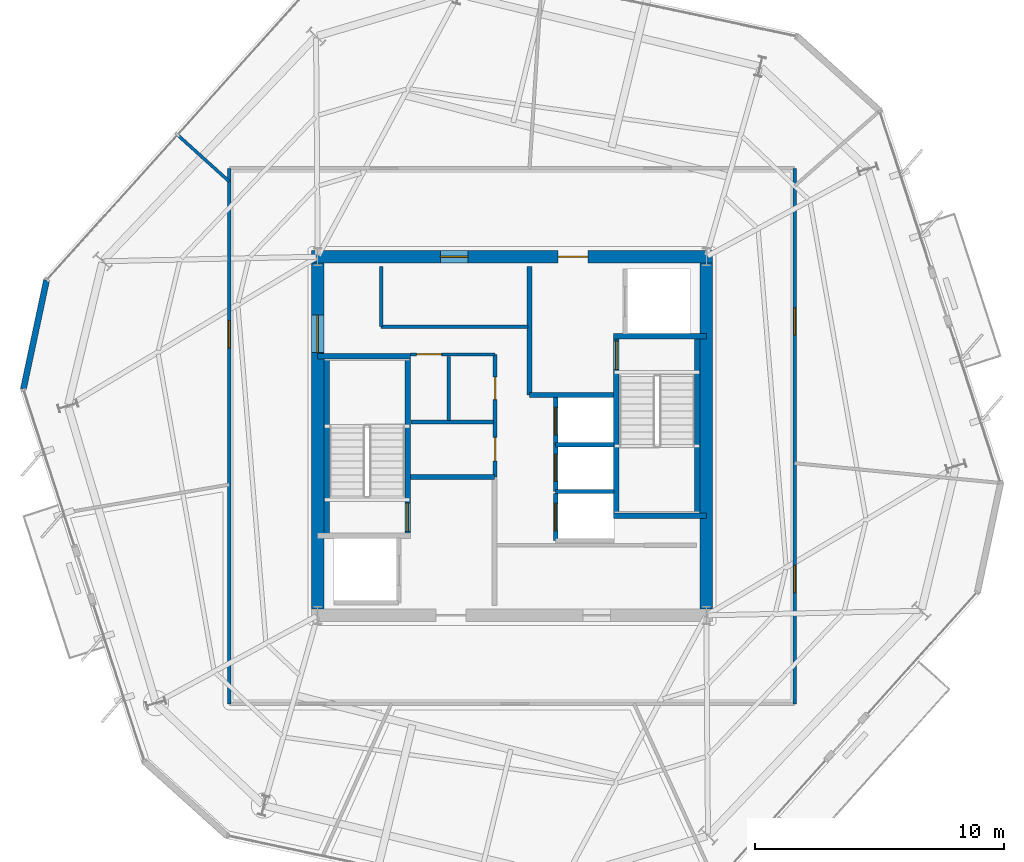
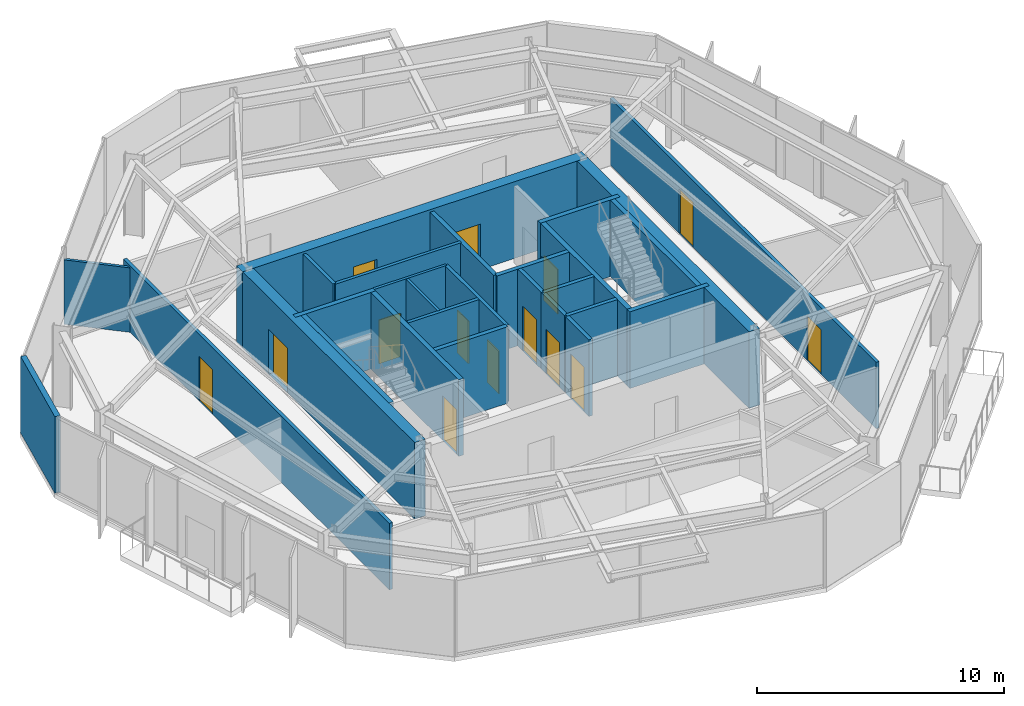
# One storey, part 7 of 11: 28 walls, 14 doors, 14 openings.
"""IFC4 building model written with IfcOpenShell, lengths in metres."""

from ifc_helpers import new_model, si_unit, direction, frame, frame_2d, origin, place, context, subcontext, project, spatial, rectangle, extrude, material, layer, layer_set, type_object, element, fill, save


model = new_model("IFC4")

# Units and contexts
model_context = context("Model", 3, precision=1e-05, world=origin(), true_north=direction((0.0, 1.0)))
body_context = subcontext(model_context, "Body", "Model", "MODEL_VIEW")
ifc_project = project(units=[si_unit("LENGTHUNIT", "METRE"), si_unit("AREAUNIT", "SQUARE_METRE"), si_unit("VOLUMEUNIT", "CUBIC_METRE"), si_unit("PLANEANGLEUNIT", "RADIAN"), si_unit("MASSUNIT", "GRAM", prefix="KILO")], contexts=[model_context])

# Site, building, storey
site_placement = place(None, origin())
site = spatial("IfcSite", under=ifc_project, at=site_placement, CompositionType="ELEMENT")
building_placement = place(site_placement, origin())
building = spatial("IfcBuilding", under=site, at=building_placement, Name="Kranzbogen Civic Tower", CompositionType="ELEMENT")
storey_placement = place(building_placement, frame((0.0, 0.0, 216.800048828125)))
storey = spatial("IfcBuildingStorey", under=building, at=storey_placement, Name="L52", CompositionType="ELEMENT", Elevation=216.800048828125)

# Walls
ifc_material_1 = material(Name="Double-Stud Acoustic Gypsum Partition")
ifc_layer_1 = layer(ifc_material_1, 0.14990234375, Name="Double-Stud Acoustic Gypsum Partition")
ifc_layer_set_1 = layer_set([ifc_layer_1], Name="Double-Stud Acoustic Gypsum Partition")
wall_type_1 = type_object("IfcWallType", Name="Acoustic Corridor and Clinical Partition 150 mm", PredefinedType="PARTITIONING", material=ifc_layer_set_1)
wall_1_placement = place(storey_placement, frame((19.75, 29.389892578125, 0.0), z_axis=(0.0, 0.0, 1.0), x_axis=(1.0, 0.0, 0.0)))
element("IfcWall", 1, at=wall_1_placement, inside=storey, type_object=wall_type_1, Name="L52 digital comms South wall", PredefinedType="PARTITIONING", context=body_context, shape_type="SweptSolid", body=[
    extrude(rectangle(XDim=5.89990234375, YDim=0.14990234375, at=frame_2d((2.949951171875, 0.0))), origin(), (0.0, 0.0, 1.0), 3.780029296875),
])
wall_2_placement = place(storey_placement, frame((19.75, 29.389892578125, 0.0), z_axis=(0.0, 0.0, 1.0), x_axis=(0.0, 1.0, 0.0)))
element("IfcWall", 2, at=wall_2_placement, inside=storey, type_object=wall_type_1, Name="L52 digital comms West wall", PredefinedType="PARTITIONING", context=body_context, shape_type="SweptSolid", body=[
    extrude(rectangle(XDim=2.41015625, YDim=0.14990234375, at=frame_2d((1.205078125, 0.0))), origin(), (0.0, 0.0, 1.0), 3.780029296875),
])

# Wall, openings, doors
wall_3_placement = place(storey_placement, frame((36.35009765625, 35.75, 0.0), z_axis=(0.0, 0.0, 1.0), x_axis=(0.0, -1.0, 0.0)))
wall_3 = element("IfcWall", 3, at=wall_3_placement, inside=storey, type_object=wall_type_1, Name="L52 corridor partition 02", PredefinedType="PARTITIONING", context=body_context, shape_type="SweptSolid", body=[
    extrude(rectangle(XDim=21.5, YDim=0.14990234375, at=frame_2d((10.75, 0.0))), origin(), (0.0, 0.0, 1.0), 3.280029296875),
])
opening_1_placement = place(wall_3_placement, frame((15.93994140625, 0.0, 0.0)))
opening_1 = element("IfcOpeningElement", 4, at=opening_1_placement, cuts=wall_3, Name="Opening D-COR60", PredefinedType="OPENING", context=body_context, shape_type="SweptSolid", body=[
    extrude(rectangle(XDim=1.10009765625, YDim=2.199951171875, at=frame_2d((0.550048828125, 1.10009765625))), frame((0.0, 0.0849609375, 0.0), z_axis=(0.0, -1.0, 0.0), x_axis=(1.0, 0.0, 0.0)), (0.0, 0.0, 1.0), 0.169921875),
])
opening_2_placement = place(wall_3_placement, frame((5.60009765625, 0.0, 0.0)))
opening_2 = element("IfcOpeningElement", 5, at=opening_2_placement, cuts=wall_3, Name="Opening D-COR60", PredefinedType="OPENING", context=body_context, shape_type="SweptSolid", body=[
    extrude(rectangle(XDim=1.10009765625, YDim=2.199951171875, at=frame_2d((0.550048828125, 1.10009765625))), frame((0.0, 0.0849609375, 0.0), z_axis=(0.0, -1.0, 0.0), x_axis=(1.0, 0.0, 0.0)), (0.0, 0.0, 1.0), 0.169921875),
])
ifc_material_2 = material(Name="Oak Timber and Fire Core", Category="wood")
door_type_1 = type_object("IfcDoorType", Name="Corridor Acoustic Fire Door 1100x2200", OperationType="NOTDEFINED", PredefinedType="DOOR", material=ifc_material_2)
door_1_placement = place(opening_1_placement, origin())
door_1 = element("IfcDoor", 6, at=door_1_placement, inside=storey, type_object=door_type_1, Name="L52 Protocol Dining Room door", OperationType="SINGLE_SWING_RIGHT", OverallHeight=2.199951171875, OverallWidth=1.10009765625, PredefinedType="DOOR", context=body_context, shape_type="SweptSolid", body=[
    extrude(rectangle(XDim=1.10009765625, YDim=2.199951171875, at=frame_2d((0.550048828125, 1.10009765625))), frame((0.0, 0.02490234375, 0.0), z_axis=(0.0, -1.0, 0.0), x_axis=(1.0, 0.0, 0.0)), (0.0, 0.0, 1.0), 0.050048828125),
])
fill(opening_1, door_1)
door_2_placement = place(opening_2_placement, origin())
door_2 = element("IfcDoor", 7, at=door_2_placement, inside=storey, type_object=door_type_1, Name="L52 Staff Tea Pantry door", OperationType="SINGLE_SWING_LEFT", OverallHeight=2.199951171875, OverallWidth=1.10009765625, PredefinedType="DOOR", context=body_context, shape_type="SweptSolid", body=[
    extrude(rectangle(XDim=1.10009765625, YDim=2.199951171875, at=frame_2d((0.550048828125, 1.10009765625))), frame((0.0, 0.02490234375, 0.0), z_axis=(0.0, -1.0, 0.0), x_axis=(1.0, 0.0, 0.0)), (0.0, 0.0, 1.0), 0.050048828125),
])
fill(opening_2, door_2)

# Wall, opening, door
wall_4_placement = place(storey_placement, frame((13.64990234375, 14.25, 0.0), z_axis=(0.0, 0.0, 1.0), x_axis=(0.0, 1.0, 0.0)))
wall_4 = element("IfcWall", 8, at=wall_4_placement, inside=storey, type_object=wall_type_1, Name="L52 corridor partition 04", PredefinedType="PARTITIONING", context=body_context, shape_type="SweptSolid", body=[
    extrude(rectangle(XDim=21.5, YDim=0.14990234375, at=frame_2d((10.75, 0.0))), origin(), (0.0, 0.0, 1.0), 3.280029296875),
])
opening_3_placement = place(wall_4_placement, frame((14.281982421875, 0.0, 0.0)))
opening_3 = element("IfcOpeningElement", 9, at=opening_3_placement, cuts=wall_4, Name="Opening D-COR60", PredefinedType="OPENING", context=body_context, shape_type="SweptSolid", body=[
    extrude(rectangle(XDim=1.10009765625, YDim=2.199951171875, at=frame_2d((0.550048828125, 1.10009765625))), frame((0.0, 0.0849609375, 0.0), z_axis=(0.0, -1.0, 0.0), x_axis=(1.0, 0.0, 0.0)), (0.0, 0.0, 1.0), 0.169921875),
])
door_3_placement = place(opening_3_placement, origin())
door_3 = element("IfcDoor", 10, at=door_3_placement, inside=storey, type_object=door_type_1, Name="L52 Executive Briefing Conference Room door", OperationType="SINGLE_SWING_RIGHT", OverallHeight=2.199951171875, OverallWidth=1.10009765625, PredefinedType="DOOR", context=body_context, shape_type="SweptSolid", body=[
    extrude(rectangle(XDim=1.10009765625, YDim=2.199951171875, at=frame_2d((0.550048828125, 1.10009765625))), frame((0.0, 0.02490234375, 0.0), z_axis=(0.0, -1.0, 0.0), x_axis=(1.0, 0.0, 0.0)), (0.0, 0.0, 1.0), 0.050048828125),
])
fill(opening_3, door_3)

ifc_material_3 = material(Name="Insulated Metal-Stud Gypsum Partition")
ifc_layer_2 = layer(ifc_material_3, 0.125, Name="Insulated Metal-Stud Gypsum Partition")
ifc_layer_set_2 = layer_set([ifc_layer_2], Name="Insulated Metal-Stud Gypsum Partition")
wall_type_2 = type_object("IfcWallType", Name="Acoustic Inter-Room Partition 125 mm", PredefinedType="PARTITIONING", material=ifc_layer_set_2)
wall_5_placement = place(storey_placement, frame((20.919921875, 28.280029296875, 0.0), z_axis=(0.0, 0.0, 1.0), x_axis=(1.0, 0.0, 0.0)))
wall_5 = element("IfcWall", 11, at=wall_5_placement, inside=storey, type_object=wall_type_2, Name="L52 core auxiliary North wall", PredefinedType="PARTITIONING", context=body_context, shape_type="SweptSolid", body=[
    extrude(rectangle(XDim=3.405029296875, YDim=0.125, at=frame_2d((1.70263671875, 0.0))), origin(), (0.0, 0.0, 1.0), 3.780029296875),
])
opening_4_placement = place(wall_5_placement, frame((0.2548828125, 0.0, 0.0)))
opening_4 = element("IfcOpeningElement", 12, at=opening_4_placement, cuts=wall_5, Name="Opening D-RSR10", PredefinedType="OPENING", context=body_context, shape_type="SweptSolid", body=[
    extrude(rectangle(XDim=1.0, YDim=2.14990234375, at=frame_2d((0.5, 1.074951171875))), frame((0.0, 0.072509765625, 0.0), z_axis=(0.0, -1.0, 0.0), x_axis=(1.0, 0.0, 0.0)), (0.0, 0.0, 1.0), 0.14501953125),
])
door_type_2 = type_object("IfcDoorType", Name="Core Archive and Riser Fire Door 1000x2150", OperationType="NOTDEFINED", PredefinedType="DOOR", material=ifc_material_2)
door_4_placement = place(opening_4_placement, origin())
door_4 = element("IfcDoor", 13, at=door_4_placement, inside=storey, type_object=door_type_2, Name="L52 Telecom and Riser Room door", OperationType="SINGLE_SWING_RIGHT", OverallHeight=2.14990234375, OverallWidth=1.0, PredefinedType="DOOR", context=body_context, shape_type="SweptSolid", body=[
    extrude(rectangle(XDim=1.0, YDim=2.14990234375, at=frame_2d((0.5, 1.074951171875))), frame((0.0, 0.02490234375, 0.0), z_axis=(0.0, -1.0, 0.0), x_axis=(1.0, 0.0, 0.0)), (0.0, 0.0, 1.0), 0.050048828125),
])
fill(opening_4, door_4)

# Walls
wall_6_placement = place(storey_placement, frame((22.4599609375, 25.6201171875, 0.0), z_axis=(0.0, 0.0, 1.0), x_axis=(0.0, 1.0, 0.0)))
element("IfcWall", 14, at=wall_6_placement, inside=storey, type_object=wall_type_2, Name="L52 core auxiliary partition 2", PredefinedType="PARTITIONING", context=body_context, shape_type="SweptSolid", body=[
    extrude(rectangle(XDim=2.579833984375, YDim=0.125, at=frame_2d((1.2900390625, 0.0))), origin(), (0.0, 0.0, 1.0), 3.780029296875),
])
wall_7_placement = place(storey_placement, frame((13.64990234375, 35.218994140625, 0.0), z_axis=(0.0, 0.0, 1.0), x_axis=(-0.743119619427, 0.669158599453, 0.0)))
element("IfcWall", 15, at=wall_7_placement, inside=storey, type_object=wall_type_2, Name="L52 radial room partition 02", PredefinedType="PARTITIONING", context=body_context, shape_type="SweptSolid", body=[
    extrude(rectangle(XDim=2.78271484375, YDim=0.125, at=frame_2d((1.391357421875, 0.0))), origin(), (0.0, 0.0, 1.0), 3.179931640625),
])

# Wall, openings, doors
ifc_material_4 = material(Name="Concrete C45/55", Category="concrete")
ifc_layer_3 = layer(ifc_material_4, 0.5, Name="Concrete C45/55")
ifc_layer_set_3 = layer_set([ifc_layer_3], Name="Concrete C45/55")
wall_type_3 = type_object("IfcWallType", Name="Central Core Shear Wall 500 mm", PredefinedType="SHEAR", material=ifc_layer_set_3)
wall_8_placement = place(storey_placement, frame((33.050048828125, 32.199951171875, 0.0), z_axis=(0.0, 0.0, 1.0), x_axis=(-1.0, 0.0, 0.0)))
wall_8 = element("IfcWall", 16, at=wall_8_placement, inside=storey, type_object=wall_type_3, Name="L52 central core North shear wall", PredefinedType="SHEAR", context=body_context, shape_type="SweptSolid", body=[
    extrude(rectangle(XDim=16.10009765625, YDim=0.5, at=frame_2d((8.050048828125, 0.0))), origin(), (0.0, 0.0, 1.0), 3.780029296875),
])
opening_5_placement = place(wall_8_placement, frame((5.0, 0.0, 0.0)))
opening_5 = element("IfcOpeningElement", 17, at=opening_5_placement, cuts=wall_8, Name="Opening D-EX120", PredefinedType="OPENING", context=body_context, shape_type="SweptSolid", body=[
    extrude(rectangle(XDim=1.199951171875, YDim=2.25, at=frame_2d((0.60009765625, 1.125))), frame((0.0, 0.260009765625, 0.0), z_axis=(0.0, -1.0, 0.0), x_axis=(1.0, 0.0, 0.0)), (0.0, 0.0, 1.0), 0.52001953125),
])
opening_6_placement = place(wall_8_placement, frame((9.824951171875, 0.0, 0.0)))
opening_6 = element("IfcOpeningElement", 18, at=opening_6_placement, cuts=wall_8, Name="Opening D-COR60", PredefinedType="OPENING", context=body_context, shape_type="SweptSolid", body=[
    extrude(rectangle(XDim=1.10009765625, YDim=2.199951171875, at=frame_2d((0.550048828125, 1.10009765625))), frame((0.0, 0.260009765625, 0.0), z_axis=(0.0, -1.0, 0.0), x_axis=(1.0, 0.0, 0.0)), (0.0, 0.0, 1.0), 0.52001953125),
])
door_5_placement = place(opening_6_placement, origin())
door_5 = element("IfcDoor", 19, at=door_5_placement, inside=storey, type_object=door_type_1, Name="L52 DAT1 comms room door", OperationType="SINGLE_SWING_LEFT", OverallHeight=2.199951171875, OverallWidth=1.10009765625, PredefinedType="DOOR", context=body_context, shape_type="SweptSolid", body=[
    extrude(rectangle(XDim=1.10009765625, YDim=2.199951171875, at=frame_2d((0.550048828125, 1.10009765625))), frame((0.0, 0.02490234375, 0.0), z_axis=(0.0, -1.0, 0.0), x_axis=(1.0, 0.0, 0.0)), (0.0, 0.0, 1.0), 0.050048828125),
])
fill(opening_6, door_5)
ifc_material_5 = material(Name="Steel S355", Category="steel")
door_type_3 = type_object("IfcDoorType", Name="Exit Passageway Fire Door 1200x2250", OperationType="NOTDEFINED", PredefinedType="DOOR", material=ifc_material_5)
door_6_placement = place(opening_5_placement, origin())
door_6 = element("IfcDoor", 20, at=door_6_placement, inside=storey, type_object=door_type_3, Name="L52 East firefighting lobby corridor door", OperationType="SINGLE_SWING_RIGHT", OverallHeight=2.25, OverallWidth=1.199951171875, PredefinedType="DOOR", context=body_context, shape_type="SweptSolid", body=[
    extrude(rectangle(XDim=1.199951171875, YDim=2.25, at=frame_2d((0.60009765625, 1.125))), frame((0.0, 0.02490234375, 0.0), z_axis=(0.0, -1.0, 0.0), x_axis=(1.0, 0.0, 0.0)), (0.0, 0.0, 1.0), 0.050048828125),
])
fill(opening_5, door_6)

# Wall, opening, door
wall_9_placement = place(storey_placement, frame((17.199951171875, 31.949951171875, 0.0), z_axis=(0.0, 0.0, 1.0), x_axis=(0.0, -1.0, 0.0)))
wall_9 = element("IfcWall", 21, at=wall_9_placement, inside=storey, type_object=wall_type_3, Name="L52 central core West shear wall", PredefinedType="SHEAR", context=body_context, shape_type="SweptSolid", body=[
    extrude(rectangle(XDim=13.89990234375, YDim=0.5, at=frame_2d((6.949951171875, 0.0))), origin(), (0.0, 0.0, 1.0), 3.780029296875),
])
opening_7_placement = place(wall_9_placement, frame((2.10009765625, 0.0, 0.0)))
opening_7 = element("IfcOpeningElement", 22, at=opening_7_placement, cuts=wall_9, Name="Opening D-DBL15", PredefinedType="OPENING", context=body_context, shape_type="SweptSolid", body=[
    extrude(rectangle(XDim=1.5, YDim=2.199951171875, at=frame_2d((0.75, 1.10009765625))), frame((0.0, 0.260009765625, 0.0), z_axis=(0.0, -1.0, 0.0), x_axis=(1.0, 0.0, 0.0)), (0.0, 0.0, 1.0), 0.52001953125),
])
ifc_material_6 = material(Name="Anodised Bronze and Glass", Category="glass")
door_type_4 = type_object("IfcDoorType", Name="Civic Lobby Double Door 1500x2200", OperationType="DOUBLE_DOOR_SINGLE_SWING", PredefinedType="DOOR", material=ifc_material_6)
door_7_placement = place(opening_7_placement, origin())
door_7 = element("IfcDoor", 23, at=door_7_placement, inside=storey, type_object=door_type_4, Name="L52 Central Lift Lobby West concourse door", OperationType="DOUBLE_DOOR_SINGLE_SWING", OverallHeight=2.199951171875, OverallWidth=1.5, PredefinedType="DOOR", context=body_context, shape_type="SweptSolid", body=[
    extrude(rectangle(XDim=1.5, YDim=2.199951171875, at=frame_2d((0.75, 1.10009765625))), frame((0.0, 0.02490234375, 0.0), z_axis=(0.0, -1.0, 0.0), x_axis=(1.0, 0.0, 0.0)), (0.0, 0.0, 1.0), 0.050048828125),
])
fill(opening_7, door_7)

# Wall
wall_10_placement = place(storey_placement, frame((32.800048828125, 18.050048828125, 0.0), z_axis=(0.0, 0.0, 1.0), x_axis=(0.0, 1.0, 0.0)))
element("IfcWall", 24, at=wall_10_placement, inside=storey, type_object=wall_type_3, Name="L52 central core East shear wall", PredefinedType="SHEAR", context=body_context, shape_type="SweptSolid", body=[
    extrude(rectangle(XDim=13.89990234375, YDim=0.5, at=frame_2d((6.949951171875, 0.0))), origin(), (0.0, 0.0, 1.0), 3.780029296875),
])

# Wall, opening, door
ifc_layer_4 = layer(ifc_material_4, 0.219970703125, Name="Concrete C45/55")
ifc_layer_set_4 = layer_set([ifc_layer_4], Name="Concrete C45/55")
wall_type_4 = type_object("IfcWallType", Name="Core Internal Stair Structural Wall 220 mm", PredefinedType="SOLIDWALL", material=ifc_layer_set_4)
wall_11_placement = place(storey_placement, frame((20.81005859375, 20.989990234375, 0.0), z_axis=(0.0, 0.0, 1.0), x_axis=(0.0, 1.0, 0.0)))
wall_11 = element("IfcWall", 25, at=wall_11_placement, inside=storey, type_object=wall_type_4, Name="L52 ST-T1 East structural stair wall", PredefinedType="SOLIDWALL", context=body_context, shape_type="SweptSolid", body=[
    extrude(rectangle(XDim=7.219970703125, YDim=0.219970703125, at=frame_2d((3.60986328125, 0.0))), origin(), (0.0, 0.0, 1.0), 3.780029296875),
])
opening_8_placement = place(wall_11_placement, frame((0.179931640625, 0.0, 0.0)))
opening_8 = element("IfcOpeningElement", 26, at=opening_8_placement, cuts=wall_11, Name="Opening D-ST90", PredefinedType="OPENING", context=body_context, shape_type="SweptSolid", body=[
    extrude(rectangle(XDim=1.14990234375, YDim=2.199951171875, at=frame_2d((0.574951171875, 1.10009765625))), frame((0.0, 0.1201171875, 0.0), z_axis=(0.0, -1.0, 0.0), x_axis=(1.0, 0.0, 0.0)), (0.0, 0.0, 1.0), 0.239990234375),
])
door_type_5 = type_object("IfcDoorType", Name="Pressurized Stair and Lobby Fire Door 1150x2200", OperationType="NOTDEFINED", PredefinedType="DOOR", material=ifc_material_5)
door_8_placement = place(opening_8_placement, origin())
door_8 = element("IfcDoor", 27, at=door_8_placement, inside=storey, type_object=door_type_5, Name="L52 Stair ST-T1 fire door", OperationType="SINGLE_SWING_LEFT", OverallHeight=2.199951171875, OverallWidth=1.14990234375, PredefinedType="DOOR", context=body_context, shape_type="SweptSolid", body=[
    extrude(rectangle(XDim=1.14990234375, YDim=2.199951171875, at=frame_2d((0.574951171875, 1.10009765625))), frame((0.0, 0.02490234375, 0.0), z_axis=(0.0, -1.0, 0.0), x_axis=(1.0, 0.0, 0.0)), (0.0, 0.0, 1.0), 0.050048828125),
])
fill(opening_8, door_8)

# Walls
wall_12_placement = place(storey_placement, frame((17.199951171875, 28.2099609375, 0.0), z_axis=(0.0, 0.0, 1.0), x_axis=(1.0, 0.0, 0.0)))
element("IfcWall", 28, at=wall_12_placement, inside=storey, type_object=wall_type_4, Name="L52 ST-T1 North structural stair wall", PredefinedType="SOLIDWALL", context=body_context, shape_type="SweptSolid", body=[
    extrude(rectangle(XDim=3.719970703125, YDim=0.219970703125, at=frame_2d((1.85986328125, 0.0))), origin(), (0.0, 0.0, 1.0), 3.780029296875),
])
wall_13_placement = place(storey_placement, frame((17.554931640625, 28.2099609375, 0.0), z_axis=(0.0, 0.0, 1.0), x_axis=(0.0, -1.0, 0.0)))
element("IfcWall", 29, at=wall_13_placement, inside=storey, type_object=wall_type_4, Name="L52 ST-T1 West structural stair wall", PredefinedType="SOLIDWALL", context=body_context, shape_type="SweptSolid", body=[
    extrude(rectangle(XDim=7.219970703125, YDim=0.219970703125, at=frame_2d((3.60986328125, 0.0))), origin(), (0.0, 0.0, 1.0), 3.780029296875),
])

# Wall, opening, door
wall_14_placement = place(storey_placement, frame((29.18994140625, 21.7900390625, 0.0), z_axis=(0.0, 0.0, 1.0), x_axis=(0.0, 1.0, 0.0)))
wall_14 = element("IfcWall", 30, at=wall_14_placement, inside=storey, type_object=wall_type_4, Name="L52 ST-T2 West structural stair wall", PredefinedType="SOLIDWALL", context=body_context, shape_type="SweptSolid", body=[
    extrude(rectangle(XDim=7.219970703125, YDim=0.219970703125, at=frame_2d((3.60986328125, 0.0))), origin(), (0.0, 0.0, 1.0), 3.780029296875),
])
opening_9_placement = place(wall_14_placement, frame((5.8798828125, 0.0, 0.0)))
opening_9 = element("IfcOpeningElement", 31, at=opening_9_placement, cuts=wall_14, Name="Opening D-ST90", PredefinedType="OPENING", context=body_context, shape_type="SweptSolid", body=[
    extrude(rectangle(XDim=1.14990234375, YDim=2.199951171875, at=frame_2d((0.574951171875, 1.10009765625))), frame((0.0, 0.1201171875, 0.0), z_axis=(0.0, -1.0, 0.0), x_axis=(1.0, 0.0, 0.0)), (0.0, 0.0, 1.0), 0.239990234375),
])
door_9_placement = place(opening_9_placement, origin())
door_9 = element("IfcDoor", 32, at=door_9_placement, inside=storey, type_object=door_type_5, Name="L52 Stair ST-T2 fire door", OperationType="SINGLE_SWING_RIGHT", OverallHeight=2.199951171875, OverallWidth=1.14990234375, PredefinedType="DOOR", context=body_context, shape_type="SweptSolid", body=[
    extrude(rectangle(XDim=1.14990234375, YDim=2.199951171875, at=frame_2d((0.574951171875, 1.10009765625))), frame((0.0, 0.02490234375, 0.0), z_axis=(0.0, -1.0, 0.0), x_axis=(1.0, 0.0, 0.0)), (0.0, 0.0, 1.0), 0.050048828125),
])
fill(opening_9, door_9)

# Walls
for number, where, z_axis, x_axis, name in (
    (33, (29.080078125, 21.7900390625, 0.0), (0.0, 0.0, 1.0), (1.0, 0.0, 0.0), "L52 ST-T2 South structural stair wall"),
    (34, (29.080078125, 29.010009765625, 0.0), (0.0, 0.0, 1.0), (1.0, 0.0, 0.0), "L52 ST-T2 North structural stair wall"),
):
    element("IfcWall", number, at=place(storey_placement, frame(where, z_axis=z_axis, x_axis=x_axis)), inside=storey, type_object=wall_type_4, Name=name, PredefinedType="SOLIDWALL", context=body_context, shape_type="SweptSolid", body=[
        extrude(rectangle(XDim=3.719970703125, YDim=0.219970703125, at=frame_2d((1.85986328125, 0.0))), origin(), (0.0, 0.0, 1.0), 3.780029296875),
    ])
wall_15_placement = place(storey_placement, frame((32.445068359375, 29.010009765625, 0.0), z_axis=(0.0, 0.0, 1.0), x_axis=(0.0, -1.0, 0.0)))
element("IfcWall", 35, at=wall_15_placement, inside=storey, type_object=wall_type_4, Name="L52 ST-T2 East structural stair wall", PredefinedType="SOLIDWALL", context=body_context, shape_type="SweptSolid", body=[
    extrude(rectangle(XDim=7.219970703125, YDim=0.219970703125, at=frame_2d((3.60986328125, 0.0))), origin(), (0.0, 0.0, 1.0), 3.780029296875),
])
ifc_material_7 = material(Name="Gypsum Fireboard and Concrete Block", Category="concrete")
ifc_layer_5 = layer(ifc_material_7, 0.199951171875, Name="Gypsum Fireboard and Concrete Block")
ifc_layer_set_5 = layer_set([ifc_layer_5], Name="Gypsum Fireboard and Concrete Block")
wall_type_5 = type_object("IfcWallType", Name="Fire-Rated Exit Passageway and Stair Wall 200 mm", PredefinedType="PARTITIONING", material=ifc_layer_set_5)
wall_16_placement = place(storey_placement, frame((20.919921875, 23.35009765625, 0.0), z_axis=(0.0, 0.0, 1.0), x_axis=(1.0, 0.0, 0.0)))
element("IfcWall", 36, at=wall_16_placement, inside=storey, type_object=wall_type_5, Name="L52 West firefighting lobby North wall", PredefinedType="PARTITIONING", context=body_context, shape_type="SweptSolid", body=[
    extrude(rectangle(XDim=3.380126953125, YDim=0.199951171875, at=frame_2d((1.68994140625, 0.0))), origin(), (0.0, 0.0, 1.0), 3.780029296875),
])
wall_17_placement = place(storey_placement, frame((25.699951171875, 26.64990234375, 0.0), z_axis=(0.0, 0.0, 1.0), x_axis=(0.0, 1.0, 0.0)))
element("IfcWall", 37, at=wall_17_placement, inside=storey, type_object=wall_type_5, Name="L52 East firefighting lobby West wall", PredefinedType="PARTITIONING", context=body_context, shape_type="SweptSolid", body=[
    extrude(rectangle(XDim=5.150146484375, YDim=0.199951171875, at=frame_2d((2.5751953125, 0.0))), origin(), (0.0, 0.0, 1.0), 3.780029296875),
])
wall_18_placement = place(storey_placement, frame((25.699951171875, 26.64990234375, 0.0), z_axis=(0.0, 0.0, 1.0), x_axis=(1.0, 0.0, 0.0)))
element("IfcWall", 38, at=wall_18_placement, inside=storey, type_object=wall_type_5, Name="L52 East firefighting lobby South wall", PredefinedType="PARTITIONING", context=body_context, shape_type="SweptSolid", body=[
    extrude(rectangle(XDim=3.380126953125, YDim=0.199951171875, at=frame_2d((1.68994140625, 0.0))), origin(), (0.0, 0.0, 1.0), 3.780029296875),
])

# Wall, opening, door
ifc_material_8 = material(Name="Gypsum Fireboard Shaftliner")
ifc_layer_6 = layer(ifc_material_8, 0.175048828125, Name="Gypsum Fireboard Shaftliner")
ifc_layer_set_6 = layer_set([ifc_layer_6], Name="Gypsum Fireboard Shaftliner")
wall_type_6 = type_object("IfcWallType", Name="Fire-Rated Lift and Service Shaft Wall 175 mm", PredefinedType="PARTITIONING", material=ifc_layer_set_6)
wall_19_placement = place(storey_placement, frame((26.75, 20.800048828125, 0.0), z_axis=(0.0, 0.0, 1.0), x_axis=(0.0, 1.0, 0.0)))
wall_19 = element("IfcWall", 39, at=wall_19_placement, inside=storey, type_object=wall_type_6, Name="L52 lift HP-01 landing wall", PredefinedType="PARTITIONING", context=body_context, shape_type="SweptSolid", body=[
    extrude(rectangle(XDim=1.89990234375, YDim=0.175048828125, at=frame_2d((0.949951171875, 0.0))), origin(), (0.0, 0.0, 1.0), 3.780029296875),
])
opening_10_placement = place(wall_19_placement, frame((0.39990234375, 0.0, 0.0)))
opening_10 = element("IfcOpeningElement", 40, at=opening_10_placement, cuts=wall_19, Name="Opening LD-HP-01", PredefinedType="OPENING", context=body_context, shape_type="SweptSolid", body=[
    extrude(rectangle(XDim=1.10009765625, YDim=2.199951171875, at=frame_2d((0.550048828125, 1.10009765625))), frame((0.0, 0.09765625, 0.0), z_axis=(0.0, -1.0, 0.0), x_axis=(1.0, 0.0, 0.0)), (0.0, 0.0, 1.0), 0.195068359375),
])
ifc_material_9 = material(Name="Pale Anodised Aluminium", Category="aluminium")
door_type_6 = type_object("IfcDoorType", Name="Passenger Lift Sliding Landing Door 1100x2200", OperationType="DOUBLE_DOOR_SLIDING", PredefinedType="DOOR", material=ifc_material_9)
door_10_placement = place(opening_10_placement, origin())
door_10 = element("IfcDoor", 41, at=door_10_placement, inside=storey, type_object=door_type_6, Name="L52 lift HP-01 sliding landing door", OperationType="DOUBLE_DOOR_SLIDING", OverallHeight=2.199951171875, OverallWidth=1.10009765625, PredefinedType="DOOR", context=body_context, shape_type="SweptSolid", body=[
    extrude(rectangle(XDim=1.10009765625, YDim=2.199951171875, at=frame_2d((0.550048828125, 1.10009765625))), frame((0.0, 0.02490234375, 0.0), z_axis=(0.0, -1.0, 0.0), x_axis=(1.0, 0.0, 0.0)), (0.0, 0.0, 1.0), 0.050048828125),
])
fill(opening_10, door_10)

wall_20_placement = place(storey_placement, frame((26.75, 22.77490234375, 0.0), z_axis=(0.0, 0.0, 1.0), x_axis=(0.0, 1.0, 0.0)))
wall_20 = element("IfcWall", 42, at=wall_20_placement, inside=storey, type_object=wall_type_6, Name="L52 lift HP-02 landing wall", PredefinedType="PARTITIONING", context=body_context, shape_type="SweptSolid", body=[
    extrude(rectangle(XDim=1.900146484375, YDim=0.175048828125, at=frame_2d((0.9501953125, 0.0))), origin(), (0.0, 0.0, 1.0), 3.780029296875),
])
opening_11_placement = place(wall_20_placement, frame((0.39990234375, 0.0, 0.0)))
opening_11 = element("IfcOpeningElement", 43, at=opening_11_placement, cuts=wall_20, Name="Opening LD-HP-02", PredefinedType="OPENING", context=body_context, shape_type="SweptSolid", body=[
    extrude(rectangle(XDim=1.10009765625, YDim=2.199951171875, at=frame_2d((0.550048828125, 1.10009765625))), frame((0.0, 0.09765625, 0.0), z_axis=(0.0, -1.0, 0.0), x_axis=(1.0, 0.0, 0.0)), (0.0, 0.0, 1.0), 0.195068359375),
])
door_11_placement = place(opening_11_placement, origin())
door_11 = element("IfcDoor", 44, at=door_11_placement, inside=storey, type_object=door_type_6, Name="L52 lift HP-02 sliding landing door", OperationType="DOUBLE_DOOR_SLIDING", OverallHeight=2.199951171875, OverallWidth=1.10009765625, PredefinedType="DOOR", context=body_context, shape_type="SweptSolid", body=[
    extrude(rectangle(XDim=1.10009765625, YDim=2.199951171875, at=frame_2d((0.550048828125, 1.10009765625))), frame((0.0, 0.02490234375, 0.0), z_axis=(0.0, -1.0, 0.0), x_axis=(1.0, 0.0, 0.0)), (0.0, 0.0, 1.0), 0.050048828125),
])
fill(opening_11, door_11)

# Wall
wall_21_placement = place(storey_placement, frame((26.75, 22.77490234375, 0.0), z_axis=(0.0, 0.0, 1.0), x_axis=(1.0, 0.0, 0.0)))
element("IfcWall", 45, at=wall_21_placement, inside=storey, type_object=wall_type_6, Name="L52 lift HP-02 side wall", PredefinedType="PARTITIONING", context=body_context, shape_type="SweptSolid", body=[
    extrude(rectangle(XDim=2.35009765625, YDim=0.175048828125, at=frame_2d((1.175048828125, 0.0))), origin(), (0.0, 0.0, 1.0), 3.780029296875),
])

# Wall, opening, door
wall_22_placement = place(storey_placement, frame((26.75, 24.64990234375, 0.0), z_axis=(0.0, 0.0, 1.0), x_axis=(0.0, 1.0, 0.0)))
wall_22 = element("IfcWall", 46, at=wall_22_placement, inside=storey, type_object=wall_type_6, Name="L52 lift HP-03 landing wall", PredefinedType="PARTITIONING", context=body_context, shape_type="SweptSolid", body=[
    extrude(rectangle(XDim=1.900146484375, YDim=0.175048828125, at=frame_2d((0.9501953125, 0.0))), origin(), (0.0, 0.0, 1.0), 3.780029296875),
])
opening_12_placement = place(wall_22_placement, frame((0.39990234375, 0.0, 0.0)))
opening_12 = element("IfcOpeningElement", 47, at=opening_12_placement, cuts=wall_22, Name="Opening LD-HP-03", PredefinedType="OPENING", context=body_context, shape_type="SweptSolid", body=[
    extrude(rectangle(XDim=1.10009765625, YDim=2.199951171875, at=frame_2d((0.550048828125, 1.10009765625))), frame((0.0, 0.09765625, 0.0), z_axis=(0.0, -1.0, 0.0), x_axis=(1.0, 0.0, 0.0)), (0.0, 0.0, 1.0), 0.195068359375),
])
door_12_placement = place(opening_12_placement, origin())
door_12 = element("IfcDoor", 48, at=door_12_placement, inside=storey, type_object=door_type_6, Name="L52 lift HP-03 sliding landing door", OperationType="DOUBLE_DOOR_SLIDING", OverallHeight=2.199951171875, OverallWidth=1.10009765625, PredefinedType="DOOR", context=body_context, shape_type="SweptSolid", body=[
    extrude(rectangle(XDim=1.10009765625, YDim=2.199951171875, at=frame_2d((0.550048828125, 1.10009765625))), frame((0.0, 0.02490234375, 0.0), z_axis=(0.0, -1.0, 0.0), x_axis=(1.0, 0.0, 0.0)), (0.0, 0.0, 1.0), 0.050048828125),
])
fill(opening_12, door_12)

# Walls
wall_23_placement = place(storey_placement, frame((26.75, 24.64990234375, 0.0), z_axis=(0.0, 0.0, 1.0), x_axis=(1.0, 0.0, 0.0)))
element("IfcWall", 49, at=wall_23_placement, inside=storey, type_object=wall_type_6, Name="L52 lift HP-03 side wall", PredefinedType="PARTITIONING", context=body_context, shape_type="SweptSolid", body=[
    extrude(rectangle(XDim=2.35009765625, YDim=0.175048828125, at=frame_2d((1.175048828125, 0.0))), origin(), (0.0, 0.0, 1.0), 3.780029296875),
])
ifc_layer_7 = layer(ifc_material_9, 0.239990234375, Name="Pale Anodised Aluminium")
ifc_layer_set_7 = layer_set([ifc_layer_7], Name="Pale Anodised Aluminium")
wall_type_7 = type_object("IfcWallType", Name="Insulated Aluminium Facade Portal Wall 240 mm", PredefinedType="STANDARD", material=ifc_layer_set_7)
wall_24_placement = place(storey_placement, frame((6.31494140625, 31.256103515625, 0.0), z_axis=(0.0, 0.0, 1.0), x_axis=(-0.20787966491, -0.978154407503, 0.0)))
element("IfcWall", 50, at=wall_24_placement, inside=storey, type_object=wall_type_7, Name="L52 chamfered corner facade spandrel 2", PredefinedType="STANDARD", context=body_context, shape_type="SweptSolid", body=[
    extrude(rectangle(XDim=4.46875, YDim=0.239990234375, at=frame_2d((2.234375, 0.0))), origin(), (0.0, 0.0, 1.0), 3.780029296875),
])

# Wall, openings, doors
ifc_material_10 = material(Name="Moisture-Resistant Gypsum Assembly")
ifc_layer_8 = layer(ifc_material_10, 0.159912109375, Name="Moisture-Resistant Gypsum Assembly")
ifc_layer_set_8 = layer_set([ifc_layer_8], Name="Moisture-Resistant Gypsum Assembly")
wall_type_8 = type_object("IfcWallType", Name="Sanitary and Plumbing Wet Wall 160 mm", PredefinedType="PLUMBINGWALL", material=ifc_layer_set_8)
wall_25_placement = place(storey_placement, frame((24.324951171875, 23.35009765625, 0.0), z_axis=(0.0, 0.0, 1.0), x_axis=(0.0, 1.0, 0.0)))
wall_25 = element("IfcWall", 51, at=wall_25_placement, inside=storey, type_object=wall_type_8, Name="L52 core auxiliary East wall", PredefinedType="PLUMBINGWALL", context=body_context, shape_type="SweptSolid", body=[
    extrude(rectangle(XDim=4.929931640625, YDim=0.159912109375, at=frame_2d((2.46484375, 0.0))), origin(), (0.0, 0.0, 1.0), 3.780029296875),
])
opening_13_placement = place(wall_25_placement, frame((0.64990234375, 0.0, 0.0)))
opening_13 = element("IfcOpeningElement", 52, at=opening_13_placement, cuts=wall_25, Name="Opening D-AWC95", PredefinedType="OPENING", context=body_context, shape_type="SweptSolid", body=[
    extrude(rectangle(XDim=0.949951171875, YDim=2.10009765625, at=frame_2d((0.47509765625, 1.050048828125))), frame((0.0, 0.08984375, 0.0), z_axis=(0.0, -1.0, 0.0), x_axis=(1.0, 0.0, 0.0)), (0.0, 0.0, 1.0), 0.179931640625),
])
opening_14_placement = place(wall_25_placement, frame((3.110107421875, 0.0, 0.0)))
opening_14 = element("IfcOpeningElement", 53, at=opening_14_placement, cuts=wall_25, Name="Opening D-WC90", PredefinedType="OPENING", context=body_context, shape_type="SweptSolid", body=[
    extrude(rectangle(XDim=0.89990234375, YDim=2.10009765625, at=frame_2d((0.449951171875, 1.050048828125))), frame((0.0, 0.08984375, 0.0), z_axis=(0.0, -1.0, 0.0), x_axis=(1.0, 0.0, 0.0)), (0.0, 0.0, 1.0), 0.179931640625),
])
ifc_material_11 = material(Name="Moisture-Resistant Laminate")
door_type_7 = type_object("IfcDoorType", Name="Accessible Restroom Door 950x2100", OperationType="NOTDEFINED", PredefinedType="DOOR", material=ifc_material_11)
door_13_placement = place(opening_13_placement, origin())
door_13 = element("IfcDoor", 54, at=door_13_placement, inside=storey, type_object=door_type_7, Name="L52 Accessible Restroom door", OperationType="SINGLE_SWING_LEFT", OverallHeight=2.10009765625, OverallWidth=0.949951171875, PredefinedType="DOOR", context=body_context, shape_type="SweptSolid", body=[
    extrude(rectangle(XDim=0.949951171875, YDim=2.10009765625, at=frame_2d((0.47509765625, 1.050048828125))), frame((0.0, 0.02490234375, 0.0), z_axis=(0.0, -1.0, 0.0), x_axis=(1.0, 0.0, 0.0)), (0.0, 0.0, 1.0), 0.050048828125),
])
fill(opening_13, door_13)
door_type_8 = type_object("IfcDoorType", Name="Standard Restroom and Store Door 900x2100", OperationType="NOTDEFINED", PredefinedType="DOOR", material=ifc_material_11)
door_14_placement = place(opening_14_placement, origin())
door_14 = element("IfcDoor", 55, at=door_14_placement, inside=storey, type_object=door_type_8, Name="L52 Staff Restroom door", OperationType="SINGLE_SWING_LEFT", OverallHeight=2.10009765625, OverallWidth=0.89990234375, PredefinedType="DOOR", context=body_context, shape_type="SweptSolid", body=[
    extrude(rectangle(XDim=0.89990234375, YDim=2.10009765625, at=frame_2d((0.449951171875, 1.050048828125))), frame((0.0, 0.02490234375, 0.0), z_axis=(0.0, -1.0, 0.0), x_axis=(1.0, 0.0, 0.0)), (0.0, 0.0, 1.0), 0.050048828125),
])
fill(opening_14, door_14)

# Wall
wall_26_placement = place(storey_placement, frame((20.949951171875, 25.56005859375, 0.0), z_axis=(0.0, 0.0, 1.0), x_axis=(1.0, 0.0, 0.0)))
element("IfcWall", 56, at=wall_26_placement, inside=storey, type_object=wall_type_8, Name="L52 core auxiliary partition 1", PredefinedType="PLUMBINGWALL", context=body_context, shape_type="SweptSolid", body=[
    extrude(rectangle(XDim=3.300048828125, YDim=0.159912109375, at=frame_2d((1.64990234375, 0.0))), origin(), (0.0, 0.0, 1.0), 3.780029296875),
])

save(model, "model.ifc")
